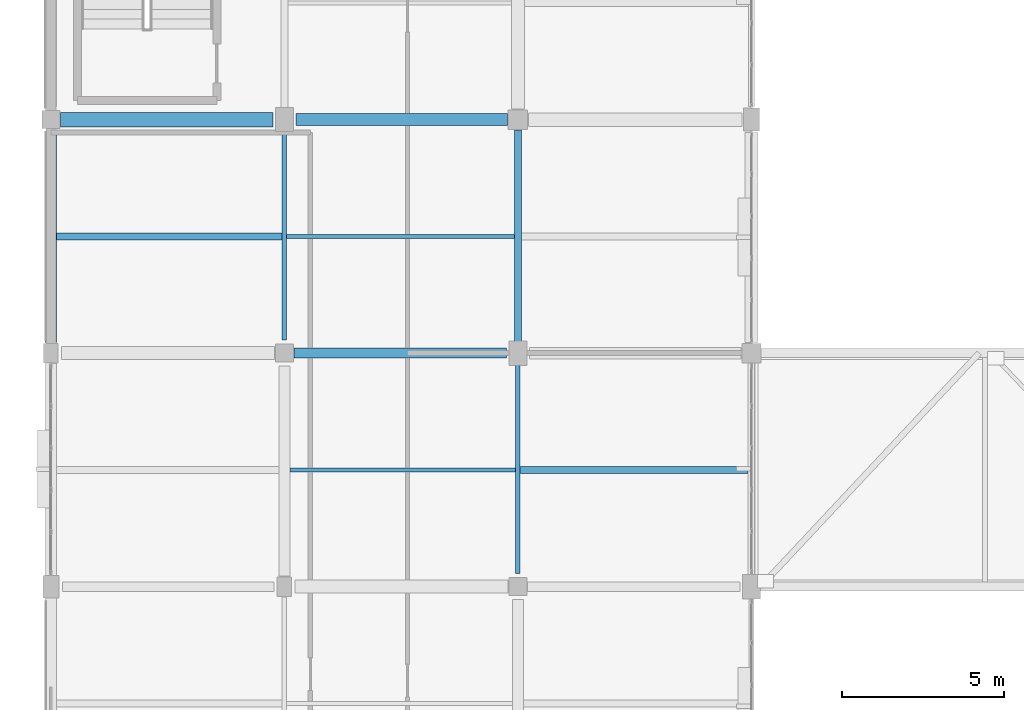
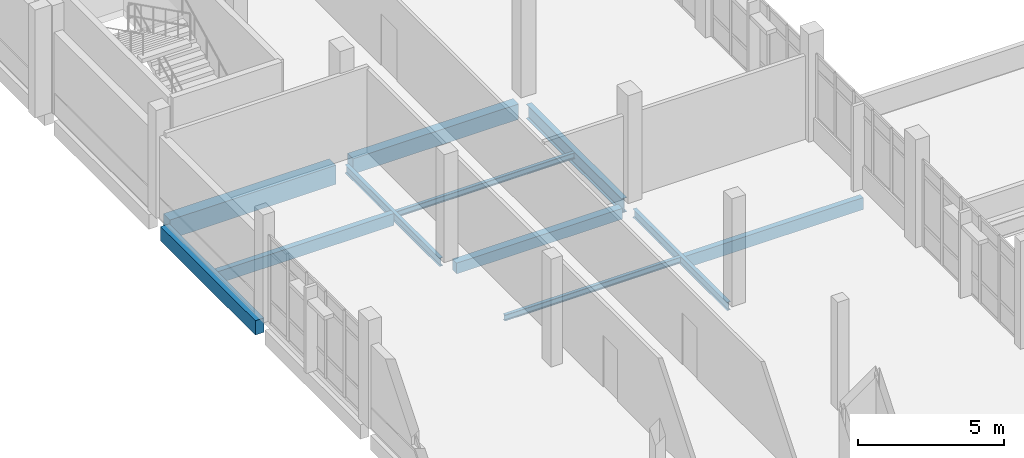
# One storey, part 11 of 87: 11 beams.
"""IFC4 building model written with IfcOpenShell, lengths in metres."""

from ifc_helpers import new_model, si_unit, direction, frame, origin, origin_2d, place, context, subcontext, project, spatial, rectangle, i_section, extrude, material, material_profile, profile_set, type_object, element, save


model = new_model("IFC4")

# Units and contexts
model_context = context("Model", 3, precision=1e-05, world=origin(), true_north=direction((0.0, 1.0)))
body_context = subcontext(model_context, "Body", "Model", "MODEL_VIEW")
ifc_project = project(units=[si_unit("LENGTHUNIT", "METRE"), si_unit("AREAUNIT", "SQUARE_METRE"), si_unit("VOLUMEUNIT", "CUBIC_METRE"), si_unit("PLANEANGLEUNIT", "RADIAN"), si_unit("MASSUNIT", "GRAM", prefix="KILO")], contexts=[model_context])

# Site, building, storey
site_placement = place(None, origin())
site = spatial("IfcSite", under=ifc_project, at=site_placement, CompositionType="ELEMENT")
building_placement = place(site_placement, origin())
building = spatial("IfcBuilding", under=site, at=building_placement, Name="Kalluvel Institute of Natural Sciences", CompositionType="ELEMENT")
storey_placement = place(building_placement, frame((0.0, 0.0, 18.89990234375)))
storey = spatial("IfcBuildingStorey", under=building, at=storey_placement, Name="L04", CompositionType="ELEMENT", Elevation=18.89990234375)

# Beams
ifc_material_1 = material(Name="Steel E350 Grade 350", Category="steel")
ifc_material_profile_1 = material_profile(ifc_material_1, i_section(OverallWidth=0.139892578125, OverallDepth=0.35009765625, WebThickness=0.008056640625, FlangeThickness=0.01416015625, FilletRadius=0.013916015625, at=origin_2d()), Name="ISMB 350")
ifc_profile_set_1 = profile_set([ifc_material_profile_1], Name="Steel E350 Grade 350")
beam_type_1 = type_object("IfcBeamType", Name="BM-ISMB350", PredefinedType="BEAM", material=ifc_profile_set_1)
for number, where, z_axis, x_axis, name in (
    (1, (21.199951171875, 36.0, -0.474853515625), (0.0, 1.0, 0.0), (-1.0, 0.0, 0.0), "L04 girder GIR-L04-NS-X212-Y356"),
    (2, (28.39990234375, 28.800048828125, -0.474853515625), (0.0, 1.0, 0.0), (-1.0, 0.0, 0.0), "L04 girder GIR-L04-NS-X284-Y284"),
):
    element("IfcBeam", number, at=place(storey_placement, frame(where, z_axis=z_axis, x_axis=x_axis)), inside=storey, type_object=beam_type_1, Name=name, PredefinedType="BEAM", context=body_context, shape_type="SweptSolid", body=[
        extrude(i_section(OverallWidth=0.139892578125, OverallDepth=0.35009765625, WebThickness=0.008056640625, FlangeThickness=0.01416015625, FilletRadius=0.013916015625, at=origin_2d()), origin(), (0.0, 0.0, 1.0), 6.449951171875),
    ])
ifc_material_profile_2 = material_profile(ifc_material_1, i_section(OverallWidth=0.2099609375, OverallDepth=0.60009765625, WebThickness=0.011962890625, FlangeThickness=0.020751953125, FilletRadius=0.02001953125, at=origin_2d()), Name="ISMB 600")
ifc_profile_set_2 = profile_set([ifc_material_profile_2], Name="Steel E350 Grade 350")
beam_type_2 = type_object("IfcBeamType", Name="BM-ISMB600", PredefinedType="BEAM", material=ifc_profile_set_2)
beam_1_placement = place(storey_placement, frame((28.39990234375, 35.949951171875, -0.599853515625), z_axis=(0.0, 1.0, 0.0), x_axis=(-1.0, 0.0, 0.0)))
element("IfcBeam", 3, at=beam_1_placement, inside=storey, type_object=beam_type_2, Name="L04 girder GIR-L04-NS-X284-Y356", PredefinedType="BEAM", context=body_context, shape_type="SweptSolid", body=[
    extrude(i_section(OverallWidth=0.2099609375, OverallDepth=0.60009765625, WebThickness=0.011962890625, FlangeThickness=0.020751953125, FilletRadius=0.02001953125, at=origin_2d()), origin(), (0.0, 0.0, 1.0), 6.525146484375),
])
ifc_material_2 = material(Name="Concrete M40", Category="concrete")
ifc_material_profile_3 = material_profile(ifc_material_2, rectangle(XDim=0.3798828125, YDim=0.639892578125, at=origin_2d()), Name="RCB 380x640")
ifc_profile_set_3 = profile_set([ifc_material_profile_3], Name="Concrete M40")
beam_type_3 = type_object("IfcBeamType", Name="BM-RC380x640", PredefinedType="BEAM", material=ifc_profile_set_3)
beam_2_placement = place(storey_placement, frame((21.550048828125, 42.800048828125, -0.619873046875), z_axis=(1.0, 0.0, 0.0), x_axis=(0.0, 1.0, 0.0)))
element("IfcBeam", 4, at=beam_2_placement, inside=storey, type_object=beam_type_3, Name="L04 girder GIR-L04-EW-X212-Y428", PredefinedType="BEAM", context=body_context, shape_type="SweptSolid", body=[
    extrude(rectangle(XDim=0.3798828125, YDim=0.639892578125, at=origin_2d()), origin(), (0.0, 0.0, 1.0), 6.52490234375),
])
ifc_material_profile_4 = material_profile(ifc_material_2, rectangle(XDim=0.449951171875, YDim=0.800048828125, at=origin_2d()), Name="RCB 450x800")
ifc_profile_set_4 = profile_set([ifc_material_profile_4], Name="Concrete M40")
beam_type_4 = type_object("IfcBeamType", Name="BM-RC450x800", PredefinedType="BEAM", material=ifc_profile_set_4)
beam_3_placement = place(storey_placement, frame((14.300048828125, 42.800048828125, -0.699951171875), z_axis=(1.0, 0.0, 0.0), x_axis=(0.0, 1.0, 0.0)))
element("IfcBeam", 5, at=beam_3_placement, inside=storey, type_object=beam_type_4, Name="L04 girder GIR-L04-EW-X140-Y428", PredefinedType="BEAM", context=body_context, shape_type="SweptSolid", body=[
    extrude(rectangle(XDim=0.449951171875, YDim=0.800048828125, at=origin_2d()), origin(), (0.0, 0.0, 1.0), 6.550048828125),
])
ifc_material_profile_5 = material_profile(ifc_material_2, rectangle(XDim=0.300048828125, YDim=0.449951171875, at=origin_2d()), Name="RCB 300x450")
ifc_profile_set_5 = profile_set([ifc_material_profile_5], Name="Concrete M40")
beam_type_5 = type_object("IfcBeamType", Name="SP-RC300x450", PredefinedType="SPANDREL", material=ifc_profile_set_5)
beam_4_placement = place(storey_placement, frame((21.5, 35.60009765625, -0.52490234375), z_axis=(1.0, 0.0, 0.0), x_axis=(0.0, 1.0, 0.0)))
element("IfcBeam", 6, at=beam_4_placement, inside=storey, type_object=beam_type_5, Name="L04 girder GIR-L04-EW-X212-Y356", PredefinedType="SPANDREL", context=body_context, shape_type="SweptSolid", body=[
    extrude(rectangle(XDim=0.300048828125, YDim=0.449951171875, at=origin_2d()), origin(), (0.0, 0.0, 1.0), 6.550048828125),
])
ifc_material_profile_6 = material_profile(ifc_material_2, rectangle(XDim=0.35009765625, YDim=0.60009765625, at=origin_2d()), Name="RCB 350x600")
ifc_profile_set_6 = profile_set([ifc_material_profile_6], Name="Concrete M40")
beam_type_6 = type_object("IfcBeamType", Name="SP-RC350x600", PredefinedType="SPANDREL", material=ifc_profile_set_6)
beam_5_placement = place(storey_placement, frame((14.0, 35.925048828125, -0.599853515625), z_axis=(0.0, 1.0, 0.0), x_axis=(-1.0, 0.0, 0.0)))
element("IfcBeam", 7, at=beam_5_placement, inside=storey, type_object=beam_type_6, Name="L04 girder GIR-L04-NS-X140-Y356", PredefinedType="SPANDREL", context=body_context, shape_type="SweptSolid", body=[
    extrude(rectangle(XDim=0.35009765625, YDim=0.60009765625, at=origin_2d()), origin(), (0.0, 0.0, 1.0), 6.474853515625),
])
ifc_material_profile_7 = material_profile(ifc_material_2, rectangle(XDim=0.219970703125, YDim=0.5, at=origin_2d()), Name="WAF 220x500")
ifc_profile_set_7 = profile_set([ifc_material_profile_7], Name="Concrete M40")
beam_type_7 = type_object("IfcBeamType", Name="WJ-220x500", PredefinedType="JOIST", material=ifc_profile_set_7)
beam_6_placement = place(storey_placement, frame((28.469970703125, 32.0, -0.5498046875), z_axis=(1.0, 0.0, 0.0), x_axis=(0.0, 1.0, 0.0)))
element("IfcBeam", 8, at=beam_6_placement, inside=storey, type_object=beam_type_7, Name="L04 floor rib RIB-L04-0714", PredefinedType="JOIST", context=body_context, shape_type="SweptSolid", body=[
    extrude(rectangle(XDim=0.219970703125, YDim=0.5, at=origin_2d()), origin(), (0.0, 0.0, 1.0), 7.025146484375),
])
beam_7_placement = place(storey_placement, frame((14.175048828125, 39.199951171875, -0.5498046875), z_axis=(1.0, 0.0, 0.0), x_axis=(0.0, 1.0, 0.0)))
element("IfcBeam", 9, at=beam_7_placement, inside=storey, type_object=beam_type_7, Name="L04 floor rib RIB-L04-0715", PredefinedType="JOIST", context=body_context, shape_type="SweptSolid", body=[
    extrude(rectangle(XDim=0.219970703125, YDim=0.5, at=origin_2d()), origin(), (0.0, 0.0, 1.0), 6.954833984375),
])
ifc_material_profile_8 = material_profile(ifc_material_1, i_section(OverallWidth=0.125, OverallDepth=0.25, WebThickness=0.0068359375, FlangeThickness=0.012451171875, FilletRadius=0.012939453125, at=origin_2d()), Name="ISMB 250")
ifc_profile_set_8 = profile_set([ifc_material_profile_8], Name="Steel E350 Grade 350")
beam_type_8 = type_object("IfcBeamType", Name="WJ-ISMB250", PredefinedType="JOIST", material=ifc_profile_set_8)
beam_8_placement = place(storey_placement, frame((21.375, 32.0, -0.4248046875), z_axis=(1.0, 0.0, 0.0), x_axis=(0.0, 1.0, 0.0)))
element("IfcBeam", 10, at=beam_8_placement, inside=storey, type_object=beam_type_8, Name="L04 floor rib RIB-L04-0713", PredefinedType="JOIST", context=body_context, shape_type="SweptSolid", body=[
    extrude(i_section(OverallWidth=0.125, OverallDepth=0.25, WebThickness=0.0068359375, FlangeThickness=0.012451171875, FilletRadius=0.012939453125, at=origin_2d()), origin(), (0.0, 0.0, 1.0), 6.955078125),
])
beam_9_placement = place(storey_placement, frame((21.27001953125, 39.199951171875, -0.4248046875), z_axis=(1.0, 0.0, 0.0), x_axis=(0.0, 1.0, 0.0)))
element("IfcBeam", 11, at=beam_9_placement, inside=storey, type_object=beam_type_8, Name="L04 floor rib RIB-L04-0716", PredefinedType="JOIST", context=body_context, shape_type="SweptSolid", body=[
    extrude(i_section(OverallWidth=0.125, OverallDepth=0.25, WebThickness=0.0068359375, FlangeThickness=0.012451171875, FilletRadius=0.012939453125, at=origin_2d()), origin(), (0.0, 0.0, 1.0), 7.02490234375),
])

save(model, "model.ifc")
